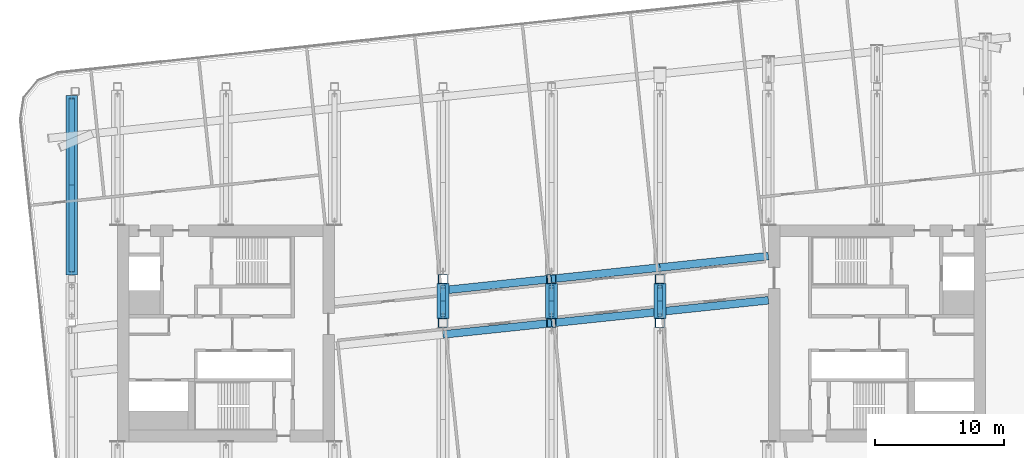
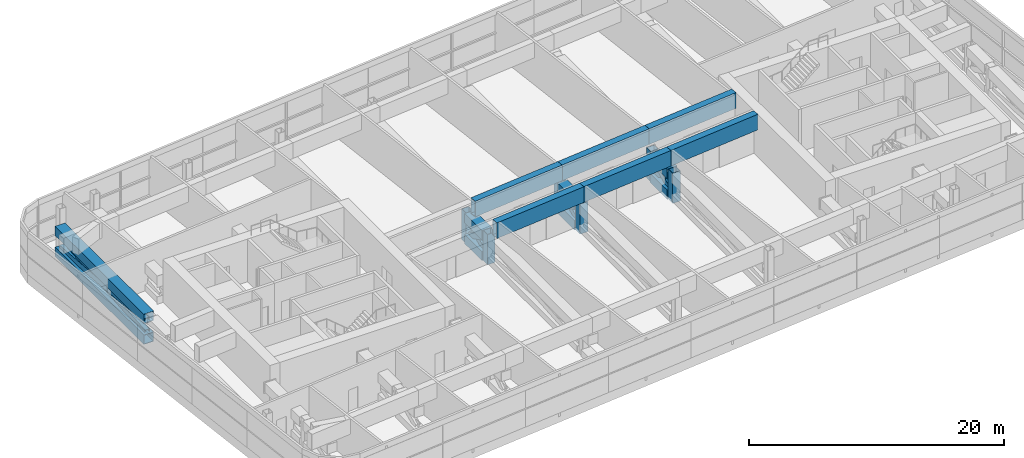
# One storey, part 8 of 33: 22 members, 6 beams.
"""IFC4 building model written with IfcOpenShell, lengths in metres."""

from ifc_helpers import new_model, si_unit, direction, frame, origin, origin_2d, place, context, subcontext, project, spatial, hollow_rectangle, extrude, material, material_profile, profile_set, type_object, element, save


model = new_model("IFC4")

# Units and contexts
model_context = context("Model", 3, precision=1e-05, world=origin(), true_north=direction((0.0, 1.0)))
body_context = subcontext(model_context, "Body", "Model", "MODEL_VIEW")
ifc_project = project(units=[si_unit("LENGTHUNIT", "METRE"), si_unit("AREAUNIT", "SQUARE_METRE"), si_unit("VOLUMEUNIT", "CUBIC_METRE"), si_unit("PLANEANGLEUNIT", "RADIAN"), si_unit("MASSUNIT", "GRAM", prefix="KILO")], contexts=[model_context])

# Site, building, storey
site_placement = place(None, origin())
site = spatial("IfcSite", under=ifc_project, at=site_placement, CompositionType="ELEMENT")
building_placement = place(site_placement, origin())
building = spatial("IfcBuilding", under=site, at=building_placement, Name="Hakoniwa Tower and Hamabe Station Hall", CompositionType="ELEMENT")
storey_placement = place(building_placement, frame((0.0, 0.0, 228.199951171875)))
storey = spatial("IfcBuildingStorey", under=building, at=storey_placement, Name="L65", CompositionType="ELEMENT", Elevation=228.199951171875)

# Beams
ifc_material_1 = material(Name="Steel SN490C", Category="steel")
ifc_material_profile_1 = material_profile(ifc_material_1, hollow_rectangle(XDim=0.60009765625, YDim=1.5, WallThickness=0.054931640625, at=origin_2d()), Name="BX-1500x600x55")
ifc_profile_set_1 = profile_set([ifc_material_profile_1], Name="Steel SN490C")
beam_type = type_object("IfcBeamType", Name="TRANSFER GIRDER BX-1500x600x55", PredefinedType="BEAM", material=ifc_profile_set_1)
for number, where, z_axis, x_axis, name in (
    (1, (-8.39990234375, -0.092041015625, 3.35009765625), (0.994522545364, 0.10452227879, 0.0), (-0.10452227879, 0.994522545364, 0.0), "Truss T4-S-C5-G3"),
    (2, (0.0, 0.790771484375, 3.35009765625), (0.994522545364, 0.10452227879, 0.0), (-0.10452227879, 0.994522545364, 0.0), "Truss T4-S-C5-G4"),
):
    element("IfcBeam", number, at=place(storey_placement, frame(where, z_axis=z_axis, x_axis=x_axis)), inside=storey, type_object=beam_type, Name=name, PredefinedType="BEAM", context=body_context, shape_type="SweptSolid", body=[
        extrude(hollow_rectangle(XDim=0.60009765625, YDim=1.5, WallThickness=0.054931640625, at=origin_2d()), origin(), (0.0, 0.0, 1.0), 8.446044921875),
    ])
beam_1_placement = place(storey_placement, frame((8.39990234375, 1.673583984375, 3.35009765625), z_axis=(0.99451985619, 0.10454786293, 0.0), x_axis=(-0.10454786293, 0.99451985619, 0.0)))
element("IfcBeam", 3, at=beam_1_placement, inside=storey, type_object=beam_type, Name="Truss T4-S-C5-G5", PredefinedType="BEAM", context=body_context, shape_type="SweptSolid", body=[
    extrude(hollow_rectangle(XDim=0.60009765625, YDim=1.5, WallThickness=0.054931640625, at=origin_2d()), origin(), (0.0, 0.0, 1.0), 8.446533203125),
])
for number, where, z_axis, x_axis, name in (
    (4, (-8.39990234375, 3.326416015625, 3.35009765625), (0.994522545364, 0.10452227879, 0.0), (-0.10452227879, 0.994522545364, 0.0), "Truss T4-S-D5-G3"),
    (5, (0.0, 4.209228515625, 3.35009765625), (0.994522545364, 0.10452227879, 0.0), (-0.10452227879, 0.994522545364, 0.0), "Truss T4-S-D5-G4"),
):
    element("IfcBeam", number, at=place(storey_placement, frame(where, z_axis=z_axis, x_axis=x_axis)), inside=storey, type_object=beam_type, Name=name, PredefinedType="BEAM", context=body_context, shape_type="SweptSolid", body=[
        extrude(hollow_rectangle(XDim=0.60009765625, YDim=1.5, WallThickness=0.054931640625, at=origin_2d()), origin(), (0.0, 0.0, 1.0), 8.446044921875),
    ])
beam_2_placement = place(storey_placement, frame((8.39990234375, 5.092041015625, 3.35009765625), z_axis=(0.99451985619, 0.10454786293, 0.0), x_axis=(-0.10454786293, 0.99451985619, 0.0)))
element("IfcBeam", 6, at=beam_2_placement, inside=storey, type_object=beam_type, Name="Truss T4-S-D5-G5", PredefinedType="BEAM", context=body_context, shape_type="SweptSolid", body=[
    extrude(hollow_rectangle(XDim=0.60009765625, YDim=1.5, WallThickness=0.054931640625, at=origin_2d()), origin(), (0.0, 0.0, 1.0), 8.446533203125),
])

# Members
ifc_material_2 = material(Name="Steel SN490C", Category="steel")
ifc_material_profile_2 = material_profile(ifc_material_2, hollow_rectangle(XDim=0.89990234375, YDim=0.89990234375, WallThickness=0.035888671875, at=origin_2d()), Name="BX-900x900x36")
ifc_profile_set_2 = profile_set([ifc_material_profile_2], Name="Steel SN490C")
member_type_1 = type_object("IfcMemberType", Name="TRUSS CHORD BX-900x900x36", PredefinedType="CHORD", material=ifc_profile_set_2)
for number, where, z_axis, x_axis, name in (
    (7, (-37.138916015625, 4.5, 0.150146484375), (0.0, 1.0, 0.0), (-1.0, 0.0, 0.0), "Truss T4-01-BC03"),
    (8, (-37.138916015625, 4.5, 2.150146484375), (0.0, 1.0, 0.0), (-1.0, 0.0, 0.0), "Truss T4-01-TC03"),
):
    element("IfcMember", number, at=place(storey_placement, frame(where, z_axis=z_axis, x_axis=x_axis)), inside=storey, type_object=member_type_1, Name=name, PredefinedType="CHORD", context=body_context, shape_type="SweptSolid", body=[
        extrude(hollow_rectangle(XDim=0.89990234375, YDim=0.89990234375, WallThickness=0.035888671875, at=origin_2d()), origin(), (0.0, 0.0, 1.0), 13.927978515625),
    ])
for number, where, z_axis, x_axis, name in (
    (9, (-8.39990234375, 1.14990234375, 0.150146484375), (0.0, 1.0, 0.0), (-1.0, 0.0, 0.0), "Truss T4-09-BC02"),
    (10, (-8.39990234375, 1.14990234375, 2.150146484375), (0.0, 1.0, 0.0), (-1.0, 0.0, 0.0), "Truss T4-09-TC02"),
    (11, (0.0, 1.14990234375, 0.150146484375), (0.0, 1.0, 0.0), (-1.0, 0.0, 0.0), "Truss T4-10-BC02"),
    (12, (0.0, 1.14990234375, 2.150146484375), (0.0, 1.0, 0.0), (-1.0, 0.0, 0.0), "Truss T4-10-TC02"),
    (13, (8.39990234375, 1.14990234375, 0.150146484375), (0.0, 1.0, 0.0), (-1.0, 0.0, 0.0), "Truss T4-11-BC02"),
    (14, (8.39990234375, 1.14990234375, 2.150146484375), (0.0, 1.0, 0.0), (-1.0, 0.0, 0.0), "Truss T4-11-TC02"),
):
    element("IfcMember", number, at=place(storey_placement, frame(where, z_axis=z_axis, x_axis=x_axis)), inside=storey, type_object=member_type_1, Name=name, PredefinedType="CHORD", context=body_context, shape_type="SweptSolid", body=[
        extrude(hollow_rectangle(XDim=0.89990234375, YDim=0.89990234375, WallThickness=0.035888671875, at=origin_2d()), origin(), (0.0, 0.0, 1.0), 2.7001953125),
    ])
ifc_material_3 = material(Name="Steel SN490C", Category="steel")
ifc_material_profile_3 = material_profile(ifc_material_3, hollow_rectangle(XDim=0.39990234375, YDim=0.5, WallThickness=0.02197265625, at=origin_2d()), Name="BX-500x400x22")
ifc_profile_set_3 = profile_set([ifc_material_profile_3], Name="Steel SN490C")
member_type_2 = type_object("IfcMemberType", Name="TRUSS DIAGONAL BX-500x400x22", PredefinedType="BRACE", material=ifc_profile_set_3)
for number, where, z_axis, x_axis, name in (
    (15, (-37.138916015625, 4.75, 0.60009765625), (0.0, 0.996662356859, 0.081634223335), (-1.0, 0.0, 0.0), "Truss T4-01-D03a"),
    (16, (-37.138916015625, 4.75, 1.699951171875), (0.0, 0.996662356859, -0.081634223335), (-1.0, 0.0, 0.0), "Truss T4-01-D03b"),
):
    element("IfcMember", number, at=place(storey_placement, frame(where, z_axis=z_axis, x_axis=x_axis)), inside=storey, type_object=member_type_2, Name=name, PredefinedType="BRACE", context=body_context, shape_type="SweptSolid", body=[
        extrude(hollow_rectangle(XDim=0.39990234375, YDim=0.5, WallThickness=0.02197265625, at=origin_2d()), origin(), (0.0, 0.0, 1.0), 13.472900390625),
    ])
for number, where, z_axis, x_axis, name in (
    (17, (-8.39990234375, 1.39990234375, 0.60009765625), (0.0, 0.894466888625, 0.44713419144), (-1.0, 0.0, 0.0), "Truss T4-09-D02a"),
    (18, (-8.39990234375, 1.39990234375, 1.699951171875), (0.0, 0.894466888625, -0.44713419144), (-1.0, 0.0, 0.0), "Truss T4-09-D02b"),
    (19, (0.0, 1.39990234375, 0.60009765625), (0.0, 0.894466888625, 0.44713419144), (-1.0, 0.0, 0.0), "Truss T4-10-D02a"),
    (20, (0.0, 1.39990234375, 1.699951171875), (0.0, 0.894466888625, -0.44713419144), (-1.0, 0.0, 0.0), "Truss T4-10-D02b"),
    (21, (8.39990234375, 1.39990234375, 0.60009765625), (0.0, 0.894466888625, 0.44713419144), (-1.0, 0.0, 0.0), "Truss T4-11-D02a"),
    (22, (8.39990234375, 1.39990234375, 1.699951171875), (0.0, 0.894466888625, -0.44713419144), (-1.0, 0.0, 0.0), "Truss T4-11-D02b"),
):
    element("IfcMember", number, at=place(storey_placement, frame(where, z_axis=z_axis, x_axis=x_axis)), inside=storey, type_object=member_type_2, Name=name, PredefinedType="BRACE", context=body_context, shape_type="SweptSolid", body=[
        extrude(hollow_rectangle(XDim=0.39990234375, YDim=0.5, WallThickness=0.02197265625, at=origin_2d()), origin(), (0.0, 0.0, 1.0), 2.459716796875),
    ])
ifc_material_4 = material(Name="Steel SN490C", Category="steel")
ifc_material_profile_4 = material_profile(ifc_material_4, hollow_rectangle(XDim=0.699951171875, YDim=0.699951171875, WallThickness=0.028076171875, at=origin_2d()), Name="BX-700x700x28")
ifc_profile_set_4 = profile_set([ifc_material_profile_4], Name="Steel SN490C")
member_type_3 = type_object("IfcMemberType", Name="TRUSS POST BX-700x700x28", PredefinedType="POST", material=ifc_profile_set_4)
for number, where, z_axis, x_axis, name in (
    (23, (-8.39990234375, 0.800048828125, -0.300048828125), (0.0, 0.0, 1.0), (1.0, 0.0, 0.0), "Truss T4-09-P02"),
    (24, (-8.39990234375, 4.199951171875, -0.300048828125), (0.0, 0.0, 1.0), (1.0, 0.0, 0.0), "Truss T4-09-P03"),
    (25, (0.0, 0.800048828125, -0.300048828125), (0.0, 0.0, 1.0), (1.0, 0.0, 0.0), "Truss T4-10-P02"),
    (26, (0.0, 4.199951171875, -0.300048828125), (0.0, 0.0, 1.0), (1.0, 0.0, 0.0), "Truss T4-10-P03"),
    (27, (8.39990234375, 0.800048828125, -0.300048828125), (0.0, 0.0, 1.0), (1.0, 0.0, 0.0), "Truss T4-11-P02"),
    (28, (8.39990234375, 4.199951171875, -0.300048828125), (0.0, 0.0, 1.0), (1.0, 0.0, 0.0), "Truss T4-11-P03"),
):
    element("IfcMember", number, at=place(storey_placement, frame(where, z_axis=z_axis, x_axis=x_axis)), inside=storey, type_object=member_type_3, Name=name, PredefinedType="POST", context=body_context, shape_type="SweptSolid", body=[
        extrude(hollow_rectangle(XDim=0.699951171875, YDim=0.699951171875, WallThickness=0.028076171875, at=origin_2d()), origin(), (0.0, 0.0, 1.0), 2.900146484375),
    ])

save(model, "model.ifc")
